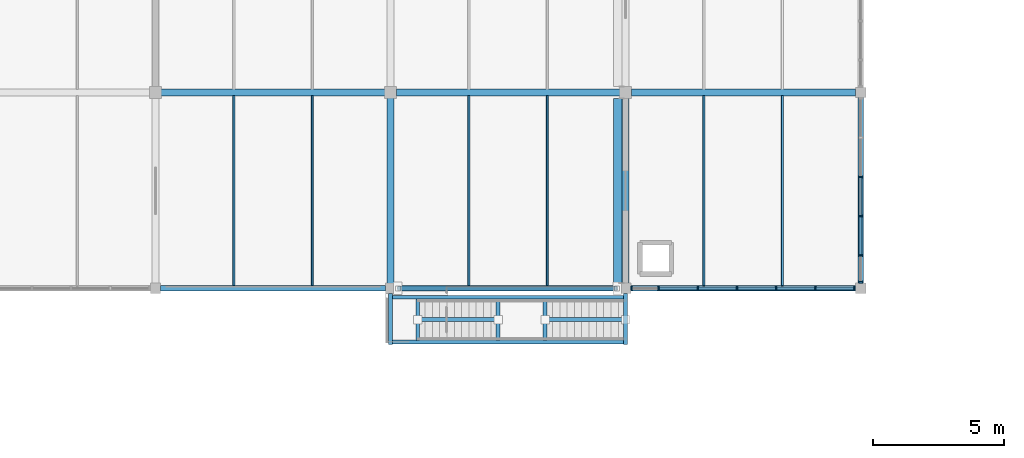
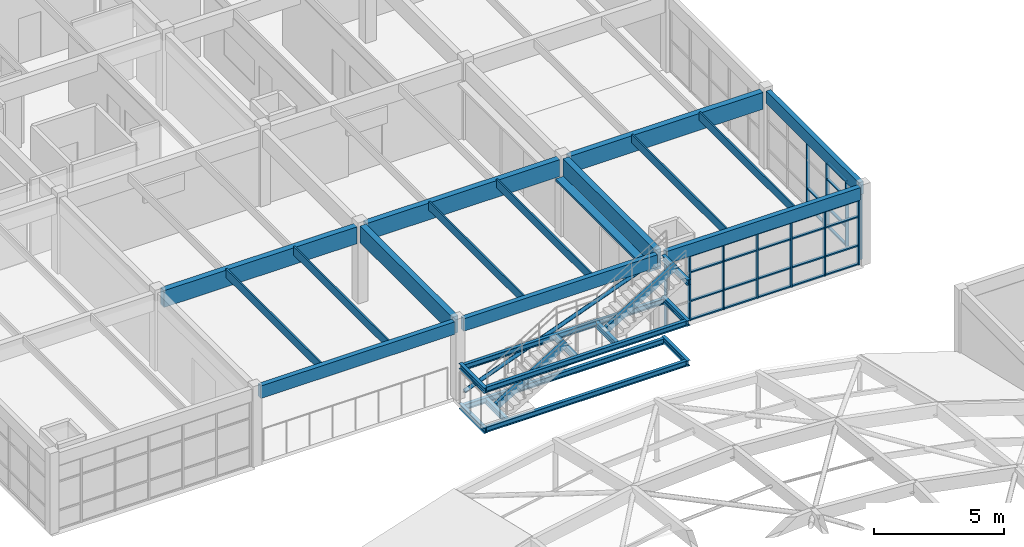
# One storey, part 21 of 81: 41 members, 27 beams, 2 elements without a shape of their own.
"""IFC4 building model written with IfcOpenShell, lengths in metres."""

from ifc_helpers import new_model, si_unit, direction, frame, origin, origin_2d, place, context, subcontext, project, spatial, rectangle, hollow_rectangle, hollow_circle, i_section, extrude, material, layer, layer_set, material_profile, profile_set, type_object, element, aggregate, save


model = new_model("IFC4")

# Units and contexts
model_context = context("Model", 3, precision=1e-05, world=origin(), true_north=direction((0.0, 1.0)))
body_context = subcontext(model_context, "Body", "Model", "MODEL_VIEW")
ifc_project = project(units=[si_unit("LENGTHUNIT", "METRE"), si_unit("AREAUNIT", "SQUARE_METRE"), si_unit("VOLUMEUNIT", "CUBIC_METRE"), si_unit("PLANEANGLEUNIT", "RADIAN"), si_unit("MASSUNIT", "GRAM", prefix="KILO")], contexts=[model_context])

# Site, building, storey
site_placement = place(None, origin())
site = spatial("IfcSite", under=ifc_project, at=site_placement, CompositionType="ELEMENT")
building_placement = place(site_placement, origin())
building = spatial("IfcBuilding", under=site, at=building_placement, Name="Marnridge Secondary College", CompositionType="ELEMENT")
storey_placement = place(building_placement, frame((0.0, 0.0, 8.5)))
storey = spatial("IfcBuildingStorey", under=building, at=storey_placement, Name="L02", CompositionType="ELEMENT", Elevation=8.5)

# Beams
ifc_material_1 = material(Name="Glulam timber GL18", Category="wood")
ifc_material_profile_1 = material_profile(ifc_material_1, rectangle(XDim=0.215087890625, YDim=0.5849609375, at=origin_2d()), Name="GL18 215x585")
ifc_profile_set_1 = profile_set([ifc_material_profile_1], Name="Glulam timber GL18")
beam_type_1 = type_object("IfcBeamType", Name="BM-GL585-EXT", PredefinedType="SPANDREL", material=ifc_profile_set_1)
for number, where, z_axis, x_axis, name in (
    (1, (63.194091796875, 37.5, 3.347412109375), (1.0, 0.0, 0.0), (0.0, 1.0, 0.0), "Beam BS-L02-0799"),
    (2, (72.194091796875, 37.5, 3.347412109375), (1.0, 0.0, 0.0), (0.0, 1.0, 0.0), "Beam BS-L02-0801"),
    (3, (81.194091796875, 37.5, 3.347412109375), (1.0, 0.0, 0.0), (0.0, 1.0, 0.0), "Beam BS-L02-0803"),
):
    element("IfcBeam", number, at=place(storey_placement, frame(where, z_axis=z_axis, x_axis=x_axis)), inside=storey, type_object=beam_type_1, Name=name, PredefinedType="SPANDREL", context=body_context, shape_type="SweptSolid", body=[
        extrude(rectangle(XDim=0.215087890625, YDim=0.5849609375, at=origin_2d()), origin(), (0.0, 0.0, 1.0), 8.61181640625),
    ])
beam_1_placement = place(storey_placement, frame((90.0, 37.694091796875, 3.347412109375), z_axis=(0.0, 1.0, 0.0), x_axis=(-1.0, 0.0, 0.0)))
element("IfcBeam", 4, at=beam_1_placement, inside=storey, type_object=beam_type_1, Name="Beam BS-L02-0804", PredefinedType="SPANDREL", context=body_context, shape_type="SweptSolid", body=[
    extrude(rectangle(XDim=0.215087890625, YDim=0.5849609375, at=origin_2d()), origin(), (0.0, 0.0, 1.0), 7.11181640625),
])
ifc_material_2 = material(Name="Glulam timber GL18", Category="wood")
ifc_material_profile_2 = material_profile(ifc_material_2, rectangle(XDim=0.260009765625, YDim=0.7900390625, at=origin_2d()), Name="GL18 260x790")
ifc_profile_set_2 = profile_set([ifc_material_profile_2], Name="Glulam timber GL18")
beam_type_2 = type_object("IfcBeamType", Name="BM-GL790-INT", PredefinedType="BEAM", material=ifc_profile_set_2)
for number, where, z_axis, x_axis, name in (
    (5, (63.218994140625, 45.0, 3.175048828125), (1.0, 0.0, 0.0), (0.0, 1.0, 0.0), "Beam B-L02-0769"),
    (6, (72.218994140625, 45.0, 3.175048828125), (1.0, 0.0, 0.0), (0.0, 1.0, 0.0), "Beam B-L02-0778"),
):
    element("IfcBeam", number, at=place(storey_placement, frame(where, z_axis=z_axis, x_axis=x_axis)), inside=storey, type_object=beam_type_2, Name=name, PredefinedType="BEAM", context=body_context, shape_type="SweptSolid", body=[
        extrude(rectangle(XDim=0.260009765625, YDim=0.7900390625, at=origin_2d()), origin(), (0.0, 0.0, 1.0), 8.56201171875),
    ])
beam_2_placement = place(storey_placement, frame((81.218994140625, 45.0, 3.175048828125), z_axis=(1.0, 0.0, 0.0), x_axis=(0.0, 1.0, 0.0)))
element("IfcBeam", 7, at=beam_2_placement, inside=storey, type_object=beam_type_2, Name="Beam B-L02-0787", PredefinedType="BEAM", context=body_context, shape_type="SweptSolid", body=[
    extrude(rectangle(XDim=0.260009765625, YDim=0.7900390625, at=origin_2d()), origin(), (0.0, 0.0, 1.0), 8.5869140625),
])
for number, where, z_axis, x_axis, name in (
    (8, (72.0, 37.694091796875, 3.2451171875), (0.0, 1.0, 0.0), (-1.0, 0.0, 0.0), "Beam B-L02-0800"),
    (9, (81.0, 37.694091796875, 3.2451171875), (0.0, 1.0, 0.0), (-1.0, 0.0, 0.0), "Beam B-L02-0802"),
):
    element("IfcBeam", number, at=place(storey_placement, frame(where, z_axis=z_axis, x_axis=x_axis)), inside=storey, type_object=beam_type_2, Name=name, PredefinedType="BEAM", context=body_context, shape_type="SweptSolid", body=[
        extrude(rectangle(XDim=0.260009765625, YDim=0.7900390625, at=origin_2d()), origin(), (0.0, 0.0, 1.0), 7.0869140625),
    ])
ifc_material_3 = material(Name="Engineered timber LVL E13.2", Category="wood")
ifc_material_profile_3 = material_profile(ifc_material_3, rectangle(XDim=0.074951171875, YDim=0.39990234375, at=origin_2d()), Name="LVL 75x400")
ifc_profile_set_3 = profile_set([ifc_material_profile_3], Name="Engineered timber LVL E13.2")
beam_type_3 = type_object("IfcBeamType", Name="BM-LVL400-INT", PredefinedType="JOIST", material=ifc_profile_set_3)
for number, where, z_axis, x_axis, name in (
    (10, (66.0, 37.6015625, 3.43994140625), (0.0, 1.0, 0.0), (-1.0, 0.0, 0.0), "Beam BJ-L02-0843"),
    (11, (69.0, 37.6015625, 3.43994140625), (0.0, 1.0, 0.0), (-1.0, 0.0, 0.0), "Beam BJ-L02-0844"),
    (12, (75.0, 37.6015625, 3.43994140625), (0.0, 1.0, 0.0), (-1.0, 0.0, 0.0), "Beam BJ-L02-0845"),
    (13, (78.0, 37.6015625, 3.43994140625), (0.0, 1.0, 0.0), (-1.0, 0.0, 0.0), "Beam BJ-L02-0846"),
    (14, (84.0, 37.6015625, 3.43994140625), (0.0, 1.0, 0.0), (-1.0, 0.0, 0.0), "Beam BJ-L02-0847"),
    (15, (87.0, 37.6015625, 3.43994140625), (0.0, 1.0, 0.0), (-1.0, 0.0, 0.0), "Beam BJ-L02-0848"),
):
    element("IfcBeam", number, at=place(storey_placement, frame(where, z_axis=z_axis, x_axis=x_axis)), inside=storey, type_object=beam_type_3, Name=name, PredefinedType="JOIST", context=body_context, shape_type="SweptSolid", body=[
        extrude(rectangle(XDim=0.074951171875, YDim=0.39990234375, at=origin_2d()), origin(), (0.0, 0.0, 1.0), 7.2744140625),
    ])
ifc_material_4 = material(Name="Structural steel Grade 350 (AS/NZS 3679.1/.2, fy = 340-360 MPa)", Category="steel")
ifc_material_profile_4 = material_profile(ifc_material_4, i_section(OverallWidth=0.146240234375, OverallDepth=0.256103515625, WebThickness=0.00634765625, FlangeThickness=0.010986328125, FilletRadius=0.0087890625, at=origin_2d()), Name="250UB37.3")
ifc_profile_set_4 = profile_set([ifc_material_profile_4], Name="Structural steel Grade 350 (AS/NZS 3679.1/.2, fy = 340-360 MPa)")
beam_type_4 = type_object("IfcBeamType", Name="BM-UB250-EXT", PredefinedType="LINTEL", material=ifc_profile_set_4)
for number, where, z_axis, x_axis, name in (
    (16, (72.0, 37.300537109375, 1.592041015625), (0.0, -1.0, 0.0), (1.0, 0.0, 0.0), "Exterior stair outrigger bracket BZ-L02-061"),
    (17, (81.0, 37.300537109375, 1.592041015625), (0.0, -1.0, 0.0), (1.0, 0.0, 0.0), "Exterior stair outrigger bracket BZ-L02-062"),
):
    element("IfcBeam", number, at=place(storey_placement, frame(where, z_axis=z_axis, x_axis=x_axis)), inside=storey, type_object=beam_type_4, Name=name, PredefinedType="LINTEL", context=body_context, shape_type="SweptSolid", body=[
        extrude(i_section(OverallWidth=0.146240234375, OverallDepth=0.256103515625, WebThickness=0.00634765625, FlangeThickness=0.010986328125, FilletRadius=0.0087890625, at=origin_2d()), origin(), (0.0, 0.0, 1.0), 1.950439453125),
    ])
for number, where, z_axis, x_axis, name in (
    (18, (72.072509765625, 35.43994140625, 1.592041015625), (1.0, 0.0, 0.0), (0.0, 1.0, 0.0), "Exterior stair landing beam BZ-L02-063"),
    (19, (72.072509765625, 37.159912109375, 1.592041015625), (1.0, 0.0, 0.0), (0.0, 1.0, 0.0), "Exterior stair landing beam BZ-L02-064"),
):
    element("IfcBeam", number, at=place(storey_placement, frame(where, z_axis=z_axis, x_axis=x_axis)), inside=storey, type_object=beam_type_4, Name=name, PredefinedType="LINTEL", context=body_context, shape_type="SweptSolid", body=[
        extrude(i_section(OverallWidth=0.146240234375, OverallDepth=0.256103515625, WebThickness=0.00634765625, FlangeThickness=0.010986328125, FilletRadius=0.0087890625, at=origin_2d()), origin(), (0.0, 0.0, 1.0), 8.85498046875),
    ])
for number, where, z_axis, x_axis, name in (
    (20, (76.1201171875, 35.512451171875, 1.592041015625), (0.0, 1.0, 0.0), (-1.0, 0.0, 0.0), "Exterior stair flight end trimmer BZ-L02-065"),
    (21, (77.919921875, 35.512451171875, 1.592041015625), (0.0, 1.0, 0.0), (-1.0, 0.0, 0.0), "Exterior stair flight end trimmer BZ-L02-066"),
):
    element("IfcBeam", number, at=place(storey_placement, frame(where, z_axis=z_axis, x_axis=x_axis)), inside=storey, type_object=beam_type_4, Name=name, PredefinedType="LINTEL", context=body_context, shape_type="SweptSolid", body=[
        extrude(i_section(OverallWidth=0.146240234375, OverallDepth=0.256103515625, WebThickness=0.00634765625, FlangeThickness=0.010986328125, FilletRadius=0.0087890625, at=origin_2d()), origin(), (0.0, 0.0, 1.0), 1.574951171875),
    ])
for number, where, z_axis, x_axis, name in (
    (22, (72.0, 37.300537109375, -0.2880859375), (0.0, -1.0, 0.0), (1.0, 0.0, 0.0), "Exterior stair outrigger bracket BZ-L02-067"),
    (23, (81.0, 37.300537109375, -0.2880859375), (0.0, -1.0, 0.0), (1.0, 0.0, 0.0), "Exterior stair outrigger bracket BZ-L02-068"),
):
    element("IfcBeam", number, at=place(storey_placement, frame(where, z_axis=z_axis, x_axis=x_axis)), inside=storey, type_object=beam_type_4, Name=name, PredefinedType="LINTEL", context=body_context, shape_type="SweptSolid", body=[
        extrude(i_section(OverallWidth=0.146240234375, OverallDepth=0.256103515625, WebThickness=0.00634765625, FlangeThickness=0.010986328125, FilletRadius=0.0087890625, at=origin_2d()), origin(), (0.0, 0.0, 1.0), 1.950439453125),
    ])
for number, where, z_axis, x_axis, name in (
    (24, (72.072509765625, 35.43994140625, -0.2880859375), (1.0, 0.0, 0.0), (0.0, 1.0, 0.0), "Exterior stair landing beam BZ-L02-069"),
    (25, (72.072509765625, 37.159912109375, -0.2880859375), (1.0, 0.0, 0.0), (0.0, 1.0, 0.0), "Exterior stair landing beam BZ-L02-070"),
):
    element("IfcBeam", number, at=place(storey_placement, frame(where, z_axis=z_axis, x_axis=x_axis)), inside=storey, type_object=beam_type_4, Name=name, PredefinedType="LINTEL", context=body_context, shape_type="SweptSolid", body=[
        extrude(i_section(OverallWidth=0.146240234375, OverallDepth=0.256103515625, WebThickness=0.00634765625, FlangeThickness=0.010986328125, FilletRadius=0.0087890625, at=origin_2d()), origin(), (0.0, 0.0, 1.0), 8.85498046875),
    ])
beam_3_placement = place(storey_placement, frame((73.0400390625, 35.512451171875, -0.2880859375), z_axis=(0.0, 1.0, 0.0), x_axis=(-1.0, 0.0, 0.0)))
element("IfcBeam", 26, at=beam_3_placement, inside=storey, type_object=beam_type_4, Name="Exterior stair flight end trimmer BZ-L02-071", PredefinedType="LINTEL", context=body_context, shape_type="SweptSolid", body=[
    extrude(i_section(OverallWidth=0.146240234375, OverallDepth=0.256103515625, WebThickness=0.00634765625, FlangeThickness=0.010986328125, FilletRadius=0.0087890625, at=origin_2d()), origin(), (0.0, 0.0, 1.0), 1.574951171875),
])
beam_4_placement = place(storey_placement, frame((81.0, 37.300537109375, 3.511962890625), z_axis=(0.0, -1.0, 0.0), x_axis=(1.0, 0.0, 0.0)))
element("IfcBeam", 27, at=beam_4_placement, inside=storey, type_object=beam_type_4, Name="Exterior stair arrival outrigger BZ-L02-072", PredefinedType="LINTEL", context=body_context, shape_type="SweptSolid", body=[
    extrude(i_section(OverallWidth=0.146240234375, OverallDepth=0.256103515625, WebThickness=0.00634765625, FlangeThickness=0.010986328125, FilletRadius=0.0087890625, at=origin_2d()), origin(), (0.0, 0.0, 1.0), 1.950439453125),
])

# Curtain wall, members
ifc_material_5 = material(Name="Thermally broken aluminium and low-E glazing", Category="aluminium")
ifc_layer = layer(ifc_material_5, 0.159912109375)
ifc_layer_set = layer_set([ifc_layer], Name="CW-MOD-1500")
curtain_wall_type = type_object("IfcCurtainWallType", Name="CW-MOD-1500", PredefinedType="NOTDEFINED", material=ifc_layer_set)
curtain_wall_1_placement = place(storey_placement, origin())
curtain_wall_1 = element("IfcCurtainWall", 28, at=curtain_wall_1_placement, inside=storey, type_object=curtain_wall_type, Name="Unitised curtain wall CW-L02-079", PredefinedType="NOTDEFINED")
ifc_material_6 = material(Name="Anodised aluminium 6063-T6", Category="aluminium")
ifc_material_profile_5 = material_profile(ifc_material_6, rectangle(XDim=0.06005859375, YDim=0.159912109375, at=origin_2d()), Name="ALU 60x160")
ifc_profile_set_5 = profile_set([ifc_material_profile_5], Name="Anodised aluminium 6063-T6")
member_type_1 = type_object("IfcMemberType", Name="CWM-ALU160", PredefinedType="MULLION", material=ifc_profile_set_5)
member_1_placement = place(storey_placement, frame((90.0, 41.76611328125, 0.0), z_axis=(0.0, 0.0, 1.0), x_axis=(0.0, -1.0, 0.0)))
member_1 = element("IfcMember", 29, at=member_1_placement, type_object=member_type_1, Name="CW-L02-079 mullion 3", PredefinedType="MULLION", context=body_context, shape_type="SweptSolid", body=[
    extrude(rectangle(XDim=0.06005859375, YDim=0.159912109375, at=origin_2d()), origin(), (0.0, 0.0, 1.0), 3.047119140625),
])
member_2_placement = place(storey_placement, frame((90.0, 40.26611328125, 0.0), z_axis=(0.0, 0.0, 1.0), x_axis=(0.0, -1.0, 0.0)))
member_2 = element("IfcMember", 30, at=member_2_placement, type_object=member_type_1, Name="CW-L02-079 mullion 4", PredefinedType="MULLION", context=body_context, shape_type="SweptSolid", body=[
    extrude(rectangle(XDim=0.06005859375, YDim=0.159912109375, at=origin_2d()), origin(), (0.0, 0.0, 1.0), 3.047119140625),
])
member_3_placement = place(storey_placement, frame((90.0, 38.76611328125, 0.0), z_axis=(0.0, 0.0, 1.0), x_axis=(0.0, -1.0, 0.0)))
member_3 = element("IfcMember", 31, at=member_3_placement, type_object=member_type_1, Name="CW-L02-079 mullion 5", PredefinedType="MULLION", context=body_context, shape_type="SweptSolid", body=[
    extrude(rectangle(XDim=0.06005859375, YDim=0.159912109375, at=origin_2d()), origin(), (0.0, 0.0, 1.0), 3.047119140625),
])
member_4_placement = place(storey_placement, frame((90.0, 37.73388671875, 0.0), z_axis=(0.0, 0.0, 1.0), x_axis=(0.0, -1.0, 0.0)))
member_4 = element("IfcMember", 32, at=member_4_placement, type_object=member_type_1, Name="CW-L02-079 mullion 6", PredefinedType="MULLION", context=body_context, shape_type="SweptSolid", body=[
    extrude(rectangle(XDim=0.06005859375, YDim=0.159912109375, at=origin_2d()), origin(), (0.0, 0.0, 1.0), 3.047119140625),
])

curtain_wall_2_placement = place(storey_placement, origin())
curtain_wall_2 = element("IfcCurtainWall", 33, at=curtain_wall_2_placement, inside=storey, type_object=curtain_wall_type, Name="Unitised curtain wall CW-L02-080", PredefinedType="NOTDEFINED")
member_5_placement = place(storey_placement, frame((89.76611328125, 37.5, 0.0), z_axis=(0.0, 0.0, 1.0), x_axis=(-1.0, 0.0, 0.0)))
member_5 = element("IfcMember", 34, at=member_5_placement, type_object=member_type_1, Name="CW-L02-080 mullion 1", PredefinedType="MULLION", context=body_context, shape_type="SweptSolid", body=[
    extrude(rectangle(XDim=0.06005859375, YDim=0.159912109375, at=origin_2d()), origin(), (0.0, 0.0, 1.0), 3.047119140625),
])
member_6_placement = place(storey_placement, frame((88.26611328125, 37.5, 0.0), z_axis=(0.0, 0.0, 1.0), x_axis=(-1.0, 0.0, 0.0)))
member_6 = element("IfcMember", 35, at=member_6_placement, type_object=member_type_1, Name="CW-L02-080 mullion 2", PredefinedType="MULLION", context=body_context, shape_type="SweptSolid", body=[
    extrude(rectangle(XDim=0.06005859375, YDim=0.159912109375, at=origin_2d()), origin(), (0.0, 0.0, 1.0), 3.047119140625),
])
member_7_placement = place(storey_placement, frame((86.76611328125, 37.5, 0.0), z_axis=(0.0, 0.0, 1.0), x_axis=(-1.0, 0.0, 0.0)))
member_7 = element("IfcMember", 36, at=member_7_placement, type_object=member_type_1, Name="CW-L02-080 mullion 3", PredefinedType="MULLION", context=body_context, shape_type="SweptSolid", body=[
    extrude(rectangle(XDim=0.06005859375, YDim=0.159912109375, at=origin_2d()), origin(), (0.0, 0.0, 1.0), 3.047119140625),
])
member_8_placement = place(storey_placement, frame((85.26611328125, 37.5, 0.0), z_axis=(0.0, 0.0, 1.0), x_axis=(-1.0, 0.0, 0.0)))
member_8 = element("IfcMember", 37, at=member_8_placement, type_object=member_type_1, Name="CW-L02-080 mullion 4", PredefinedType="MULLION", context=body_context, shape_type="SweptSolid", body=[
    extrude(rectangle(XDim=0.06005859375, YDim=0.159912109375, at=origin_2d()), origin(), (0.0, 0.0, 1.0), 3.047119140625),
])
member_9_placement = place(storey_placement, frame((83.76611328125, 37.5, 0.0), z_axis=(0.0, 0.0, 1.0), x_axis=(-1.0, 0.0, 0.0)))
member_9 = element("IfcMember", 38, at=member_9_placement, type_object=member_type_1, Name="CW-L02-080 mullion 5", PredefinedType="MULLION", context=body_context, shape_type="SweptSolid", body=[
    extrude(rectangle(XDim=0.06005859375, YDim=0.159912109375, at=origin_2d()), origin(), (0.0, 0.0, 1.0), 3.047119140625),
])
member_10_placement = place(storey_placement, frame((82.26611328125, 37.5, 0.0), z_axis=(0.0, 0.0, 1.0), x_axis=(-1.0, 0.0, 0.0)))
member_10 = element("IfcMember", 39, at=member_10_placement, type_object=member_type_1, Name="CW-L02-080 mullion 6", PredefinedType="MULLION", context=body_context, shape_type="SweptSolid", body=[
    extrude(rectangle(XDim=0.06005859375, YDim=0.159912109375, at=origin_2d()), origin(), (0.0, 0.0, 1.0), 3.047119140625),
])
member_11_placement = place(storey_placement, frame((81.23388671875, 37.5, 0.0), z_axis=(0.0, 0.0, 1.0), x_axis=(-1.0, 0.0, 0.0)))
member_11 = element("IfcMember", 40, at=member_11_placement, type_object=member_type_1, Name="CW-L02-080 mullion 7", PredefinedType="MULLION", context=body_context, shape_type="SweptSolid", body=[
    extrude(rectangle(XDim=0.06005859375, YDim=0.159912109375, at=origin_2d()), origin(), (0.0, 0.0, 1.0), 3.047119140625),
])

# Member
ifc_material_7 = material(Name="Anodised aluminium 6063-T6", Category="aluminium")
ifc_material_profile_6 = material_profile(ifc_material_7, rectangle(XDim=0.06005859375, YDim=0.1201171875, at=origin_2d()), Name="ALU 60x120")
ifc_profile_set_6 = profile_set([ifc_material_profile_6], Name="Anodised aluminium 6063-T6")
member_type_2 = type_object("IfcMemberType", Name="CWT-ALU120", PredefinedType="USERDEFINED", material=ifc_profile_set_6)
member_12_placement = place(storey_placement, frame((90.0, 41.736083984375, 0.030029296875), z_axis=(0.0, -1.0, 0.0), x_axis=(0.0, 0.0, 1.0)))
member_12 = element("IfcMember", 41, at=member_12_placement, type_object=member_type_2, Name="CW-L02-079 transom 3.1", ObjectType="TRANSOM", PredefinedType="USERDEFINED", context=body_context, shape_type="SweptSolid", body=[
    extrude(rectangle(XDim=0.06005859375, YDim=0.1201171875, at=origin_2d()), origin(), (0.0, 0.0, 1.0), 1.440185546875),
])

member_13_placement = place(storey_placement, frame((90.0, 41.736083984375, 0.89990234375), z_axis=(0.0, -1.0, 0.0), x_axis=(0.0, 0.0, 1.0)))
member_13 = element("IfcMember", 42, at=member_13_placement, type_object=member_type_2, Name="CW-L02-079 transom 3.2", ObjectType="TRANSOM", PredefinedType="USERDEFINED", context=body_context, shape_type="SweptSolid", body=[
    extrude(rectangle(XDim=0.06005859375, YDim=0.1201171875, at=origin_2d()), origin(), (0.0, 0.0, 1.0), 1.440185546875),
])

member_14_placement = place(storey_placement, frame((90.0, 40.236083984375, 0.030029296875), z_axis=(0.0, -1.0, 0.0), x_axis=(0.0, 0.0, 1.0)))
member_14 = element("IfcMember", 43, at=member_14_placement, type_object=member_type_2, Name="CW-L02-079 transom 4.1", ObjectType="TRANSOM", PredefinedType="USERDEFINED", context=body_context, shape_type="SweptSolid", body=[
    extrude(rectangle(XDim=0.06005859375, YDim=0.1201171875, at=origin_2d()), origin(), (0.0, 0.0, 1.0), 1.440185546875),
])

member_15_placement = place(storey_placement, frame((90.0, 40.236083984375, 0.89990234375), z_axis=(0.0, -1.0, 0.0), x_axis=(0.0, 0.0, 1.0)))
member_15 = element("IfcMember", 44, at=member_15_placement, type_object=member_type_2, Name="CW-L02-079 transom 4.2", ObjectType="TRANSOM", PredefinedType="USERDEFINED", context=body_context, shape_type="SweptSolid", body=[
    extrude(rectangle(XDim=0.06005859375, YDim=0.1201171875, at=origin_2d()), origin(), (0.0, 0.0, 1.0), 1.440185546875),
])

member_16_placement = place(storey_placement, frame((90.0, 40.236083984375, 2.25), z_axis=(0.0, -1.0, 0.0), x_axis=(0.0, 0.0, 1.0)))
member_16 = element("IfcMember", 45, at=member_16_placement, type_object=member_type_2, Name="CW-L02-079 transom 4.3", ObjectType="TRANSOM", PredefinedType="USERDEFINED", context=body_context, shape_type="SweptSolid", body=[
    extrude(rectangle(XDim=0.06005859375, YDim=0.1201171875, at=origin_2d()), origin(), (0.0, 0.0, 1.0), 1.440185546875),
])

member_17_placement = place(storey_placement, frame((90.0, 40.236083984375, 3.01708984375), z_axis=(0.0, -1.0, 0.0), x_axis=(0.0, 0.0, 1.0)))
member_17 = element("IfcMember", 46, at=member_17_placement, type_object=member_type_2, Name="CW-L02-079 transom 4.4", ObjectType="TRANSOM", PredefinedType="USERDEFINED", context=body_context, shape_type="SweptSolid", body=[
    extrude(rectangle(XDim=0.06005859375, YDim=0.1201171875, at=origin_2d()), origin(), (0.0, 0.0, 1.0), 1.440185546875),
])

aggregate(curtain_wall_1, [member_1, member_2, member_3, member_4, member_12, member_13, member_14, member_15, member_16, member_17])

member_18_placement = place(storey_placement, frame((89.736083984375, 37.5, 0.030029296875), z_axis=(-1.0, 0.0, 0.0), x_axis=(0.0, 0.0, 1.0)))
member_18 = element("IfcMember", 47, at=member_18_placement, type_object=member_type_2, Name="CW-L02-080 transom 1.1", ObjectType="TRANSOM", PredefinedType="USERDEFINED", context=body_context, shape_type="SweptSolid", body=[
    extrude(rectangle(XDim=0.06005859375, YDim=0.1201171875, at=origin_2d()), origin(), (0.0, 0.0, 1.0), 1.440185546875),
])

member_19_placement = place(storey_placement, frame((89.736083984375, 37.5, 0.89990234375), z_axis=(-1.0, 0.0, 0.0), x_axis=(0.0, 0.0, 1.0)))
member_19 = element("IfcMember", 48, at=member_19_placement, type_object=member_type_2, Name="CW-L02-080 transom 1.2", ObjectType="TRANSOM", PredefinedType="USERDEFINED", context=body_context, shape_type="SweptSolid", body=[
    extrude(rectangle(XDim=0.06005859375, YDim=0.1201171875, at=origin_2d()), origin(), (0.0, 0.0, 1.0), 1.440185546875),
])

member_20_placement = place(storey_placement, frame((89.736083984375, 37.5, 2.25), z_axis=(-1.0, 0.0, 0.0), x_axis=(0.0, 0.0, 1.0)))
member_20 = element("IfcMember", 49, at=member_20_placement, type_object=member_type_2, Name="CW-L02-080 transom 1.3", ObjectType="TRANSOM", PredefinedType="USERDEFINED", context=body_context, shape_type="SweptSolid", body=[
    extrude(rectangle(XDim=0.06005859375, YDim=0.1201171875, at=origin_2d()), origin(), (0.0, 0.0, 1.0), 1.440185546875),
])

member_21_placement = place(storey_placement, frame((89.736083984375, 37.5, 3.01708984375), z_axis=(-1.0, 0.0, 0.0), x_axis=(0.0, 0.0, 1.0)))
member_21 = element("IfcMember", 50, at=member_21_placement, type_object=member_type_2, Name="CW-L02-080 transom 1.4", ObjectType="TRANSOM", PredefinedType="USERDEFINED", context=body_context, shape_type="SweptSolid", body=[
    extrude(rectangle(XDim=0.06005859375, YDim=0.1201171875, at=origin_2d()), origin(), (0.0, 0.0, 1.0), 1.440185546875),
])

member_22_placement = place(storey_placement, frame((88.236083984375, 37.5, 0.030029296875), z_axis=(-1.0, 0.0, 0.0), x_axis=(0.0, 0.0, 1.0)))
member_22 = element("IfcMember", 51, at=member_22_placement, type_object=member_type_2, Name="CW-L02-080 transom 2.1", ObjectType="TRANSOM", PredefinedType="USERDEFINED", context=body_context, shape_type="SweptSolid", body=[
    extrude(rectangle(XDim=0.06005859375, YDim=0.1201171875, at=origin_2d()), origin(), (0.0, 0.0, 1.0), 1.440185546875),
])

member_23_placement = place(storey_placement, frame((88.236083984375, 37.5, 0.89990234375), z_axis=(-1.0, 0.0, 0.0), x_axis=(0.0, 0.0, 1.0)))
member_23 = element("IfcMember", 52, at=member_23_placement, type_object=member_type_2, Name="CW-L02-080 transom 2.2", ObjectType="TRANSOM", PredefinedType="USERDEFINED", context=body_context, shape_type="SweptSolid", body=[
    extrude(rectangle(XDim=0.06005859375, YDim=0.1201171875, at=origin_2d()), origin(), (0.0, 0.0, 1.0), 1.440185546875),
])

member_24_placement = place(storey_placement, frame((88.236083984375, 37.5, 2.25), z_axis=(-1.0, 0.0, 0.0), x_axis=(0.0, 0.0, 1.0)))
member_24 = element("IfcMember", 53, at=member_24_placement, type_object=member_type_2, Name="CW-L02-080 transom 2.3", ObjectType="TRANSOM", PredefinedType="USERDEFINED", context=body_context, shape_type="SweptSolid", body=[
    extrude(rectangle(XDim=0.06005859375, YDim=0.1201171875, at=origin_2d()), origin(), (0.0, 0.0, 1.0), 1.440185546875),
])

member_25_placement = place(storey_placement, frame((88.236083984375, 37.5, 3.01708984375), z_axis=(-1.0, 0.0, 0.0), x_axis=(0.0, 0.0, 1.0)))
member_25 = element("IfcMember", 54, at=member_25_placement, type_object=member_type_2, Name="CW-L02-080 transom 2.4", ObjectType="TRANSOM", PredefinedType="USERDEFINED", context=body_context, shape_type="SweptSolid", body=[
    extrude(rectangle(XDim=0.06005859375, YDim=0.1201171875, at=origin_2d()), origin(), (0.0, 0.0, 1.0), 1.440185546875),
])

member_26_placement = place(storey_placement, frame((86.736083984375, 37.5, 0.030029296875), z_axis=(-1.0, 0.0, 0.0), x_axis=(0.0, 0.0, 1.0)))
member_26 = element("IfcMember", 55, at=member_26_placement, type_object=member_type_2, Name="CW-L02-080 transom 3.1", ObjectType="TRANSOM", PredefinedType="USERDEFINED", context=body_context, shape_type="SweptSolid", body=[
    extrude(rectangle(XDim=0.06005859375, YDim=0.1201171875, at=origin_2d()), origin(), (0.0, 0.0, 1.0), 1.440185546875),
])

member_27_placement = place(storey_placement, frame((86.736083984375, 37.5, 0.89990234375), z_axis=(-1.0, 0.0, 0.0), x_axis=(0.0, 0.0, 1.0)))
member_27 = element("IfcMember", 56, at=member_27_placement, type_object=member_type_2, Name="CW-L02-080 transom 3.2", ObjectType="TRANSOM", PredefinedType="USERDEFINED", context=body_context, shape_type="SweptSolid", body=[
    extrude(rectangle(XDim=0.06005859375, YDim=0.1201171875, at=origin_2d()), origin(), (0.0, 0.0, 1.0), 1.440185546875),
])

member_28_placement = place(storey_placement, frame((86.736083984375, 37.5, 2.25), z_axis=(-1.0, 0.0, 0.0), x_axis=(0.0, 0.0, 1.0)))
member_28 = element("IfcMember", 57, at=member_28_placement, type_object=member_type_2, Name="CW-L02-080 transom 3.3", ObjectType="TRANSOM", PredefinedType="USERDEFINED", context=body_context, shape_type="SweptSolid", body=[
    extrude(rectangle(XDim=0.06005859375, YDim=0.1201171875, at=origin_2d()), origin(), (0.0, 0.0, 1.0), 1.440185546875),
])

member_29_placement = place(storey_placement, frame((86.736083984375, 37.5, 3.01708984375), z_axis=(-1.0, 0.0, 0.0), x_axis=(0.0, 0.0, 1.0)))
member_29 = element("IfcMember", 58, at=member_29_placement, type_object=member_type_2, Name="CW-L02-080 transom 3.4", ObjectType="TRANSOM", PredefinedType="USERDEFINED", context=body_context, shape_type="SweptSolid", body=[
    extrude(rectangle(XDim=0.06005859375, YDim=0.1201171875, at=origin_2d()), origin(), (0.0, 0.0, 1.0), 1.440185546875),
])

member_30_placement = place(storey_placement, frame((85.236083984375, 37.5, 0.030029296875), z_axis=(-1.0, 0.0, 0.0), x_axis=(0.0, 0.0, 1.0)))
member_30 = element("IfcMember", 59, at=member_30_placement, type_object=member_type_2, Name="CW-L02-080 transom 4.1", ObjectType="TRANSOM", PredefinedType="USERDEFINED", context=body_context, shape_type="SweptSolid", body=[
    extrude(rectangle(XDim=0.06005859375, YDim=0.1201171875, at=origin_2d()), origin(), (0.0, 0.0, 1.0), 1.440185546875),
])

member_31_placement = place(storey_placement, frame((85.236083984375, 37.5, 0.89990234375), z_axis=(-1.0, 0.0, 0.0), x_axis=(0.0, 0.0, 1.0)))
member_31 = element("IfcMember", 60, at=member_31_placement, type_object=member_type_2, Name="CW-L02-080 transom 4.2", ObjectType="TRANSOM", PredefinedType="USERDEFINED", context=body_context, shape_type="SweptSolid", body=[
    extrude(rectangle(XDim=0.06005859375, YDim=0.1201171875, at=origin_2d()), origin(), (0.0, 0.0, 1.0), 1.440185546875),
])

member_32_placement = place(storey_placement, frame((85.236083984375, 37.5, 2.25), z_axis=(-1.0, 0.0, 0.0), x_axis=(0.0, 0.0, 1.0)))
member_32 = element("IfcMember", 61, at=member_32_placement, type_object=member_type_2, Name="CW-L02-080 transom 4.3", ObjectType="TRANSOM", PredefinedType="USERDEFINED", context=body_context, shape_type="SweptSolid", body=[
    extrude(rectangle(XDim=0.06005859375, YDim=0.1201171875, at=origin_2d()), origin(), (0.0, 0.0, 1.0), 1.440185546875),
])

member_33_placement = place(storey_placement, frame((85.236083984375, 37.5, 3.01708984375), z_axis=(-1.0, 0.0, 0.0), x_axis=(0.0, 0.0, 1.0)))
member_33 = element("IfcMember", 62, at=member_33_placement, type_object=member_type_2, Name="CW-L02-080 transom 4.4", ObjectType="TRANSOM", PredefinedType="USERDEFINED", context=body_context, shape_type="SweptSolid", body=[
    extrude(rectangle(XDim=0.06005859375, YDim=0.1201171875, at=origin_2d()), origin(), (0.0, 0.0, 1.0), 1.440185546875),
])

member_34_placement = place(storey_placement, frame((83.736083984375, 37.5, 0.030029296875), z_axis=(-1.0, 0.0, 0.0), x_axis=(0.0, 0.0, 1.0)))
member_34 = element("IfcMember", 63, at=member_34_placement, type_object=member_type_2, Name="CW-L02-080 transom 5.1", ObjectType="TRANSOM", PredefinedType="USERDEFINED", context=body_context, shape_type="SweptSolid", body=[
    extrude(rectangle(XDim=0.06005859375, YDim=0.1201171875, at=origin_2d()), origin(), (0.0, 0.0, 1.0), 1.440185546875),
])

member_35_placement = place(storey_placement, frame((83.736083984375, 37.5, 0.89990234375), z_axis=(-1.0, 0.0, 0.0), x_axis=(0.0, 0.0, 1.0)))
member_35 = element("IfcMember", 64, at=member_35_placement, type_object=member_type_2, Name="CW-L02-080 transom 5.2", ObjectType="TRANSOM", PredefinedType="USERDEFINED", context=body_context, shape_type="SweptSolid", body=[
    extrude(rectangle(XDim=0.06005859375, YDim=0.1201171875, at=origin_2d()), origin(), (0.0, 0.0, 1.0), 1.440185546875),
])

member_36_placement = place(storey_placement, frame((83.736083984375, 37.5, 2.25), z_axis=(-1.0, 0.0, 0.0), x_axis=(0.0, 0.0, 1.0)))
member_36 = element("IfcMember", 65, at=member_36_placement, type_object=member_type_2, Name="CW-L02-080 transom 5.3", ObjectType="TRANSOM", PredefinedType="USERDEFINED", context=body_context, shape_type="SweptSolid", body=[
    extrude(rectangle(XDim=0.06005859375, YDim=0.1201171875, at=origin_2d()), origin(), (0.0, 0.0, 1.0), 1.440185546875),
])

member_37_placement = place(storey_placement, frame((83.736083984375, 37.5, 3.01708984375), z_axis=(-1.0, 0.0, 0.0), x_axis=(0.0, 0.0, 1.0)))
member_37 = element("IfcMember", 66, at=member_37_placement, type_object=member_type_2, Name="CW-L02-080 transom 5.4", ObjectType="TRANSOM", PredefinedType="USERDEFINED", context=body_context, shape_type="SweptSolid", body=[
    extrude(rectangle(XDim=0.06005859375, YDim=0.1201171875, at=origin_2d()), origin(), (0.0, 0.0, 1.0), 1.440185546875),
])

aggregate(curtain_wall_2, [member_5, member_6, member_7, member_8, member_9, member_10, member_11, member_18, member_19, member_20, member_21, member_22, member_23, member_24, member_25, member_26, member_27, member_28, member_29, member_30, member_31, member_32, member_33, member_34, member_35, member_36, member_37])

# Members
ifc_material_8 = material(Name="Cold-formed steel Grade C350L0 (AS/NZS 1163, fy = 350 MPa)", Category="steel")
ifc_material_profile_7 = material_profile(ifc_material_8, hollow_circle(Radius=0.084228515625, WallThickness=0.00634765625, at=origin_2d()), Name="168.3x6.4CHS")
ifc_profile_set_7 = profile_set([ifc_material_profile_7], Name="Cold-formed steel Grade C350L0 (AS/NZS 1163, fy = 350 MPa)")
member_type_3 = type_object("IfcMemberType", Name="MB-BR-CHS168", PredefinedType="BRACE", material=ifc_profile_set_7)
member_38_placement = place(storey_placement, frame((72.280029296875, 37.5, 0.159912109375), z_axis=(0.936688944252, 0.0, 0.350162564697), x_axis=(0.0, 1.0, 0.0)))
element("IfcMember", 67, at=member_38_placement, inside=storey, type_object=member_type_3, Name="Lateral brace BR-009", PredefinedType="BRACE", context=body_context, shape_type="SweptSolid", body=[
    extrude(hollow_circle(Radius=0.084228515625, WallThickness=0.00634765625, at=origin_2d()), origin(), (0.0, 0.0, 1.0), 8.9677734375),
])
ifc_material_9 = material(Name="Glulam timber GL18", Category="wood")
ifc_material_profile_8 = material_profile(ifc_material_9, rectangle(XDim=0.110107421875, YDim=0.60009765625, at=origin_2d()), Name="FIN GL18 110x600")
ifc_profile_set_8 = profile_set([ifc_material_profile_8], Name="Glulam timber GL18")
member_type_4 = type_object("IfcMemberType", Name="MB-FIN-GL600", PredefinedType="USERDEFINED", material=ifc_profile_set_8)
member_39_placement = place(storey_placement, frame((80.840087890625, 37.699951171875, 2.761962890625), z_axis=(0.0, 1.0, 0.0), x_axis=(0.0, 0.0, 1.0)))
element("IfcMember", 68, at=member_39_placement, inside=storey, type_object=member_type_4, Name="Solar shading fin SFN-0083", ObjectType="SOLAR FIN", PredefinedType="USERDEFINED", context=body_context, shape_type="SweptSolid", body=[
    extrude(rectangle(XDim=0.110107421875, YDim=0.60009765625, at=origin_2d()), origin(), (0.0, 0.0, 1.0), 7.074951171875),
])
ifc_material_10 = material(Name="Cold-formed steel Grade C350L0 (AS/NZS 1163, fy = 350 MPa)", Category="steel")
ifc_material_profile_9 = material_profile(ifc_material_10, hollow_rectangle(XDim=0.14990234375, YDim=0.300048828125, WallThickness=0.008056640625, at=origin_2d()), Name="300x150x8.0RHS")
ifc_profile_set_9 = profile_set([ifc_material_profile_9], Name="Cold-formed steel Grade C350L0 (AS/NZS 1163, fy = 350 MPa)")
member_type_5 = type_object("IfcMemberType", Name="MB-STR-RHS300", PredefinedType="STRINGER", material=ifc_profile_set_9)
member_40_placement = place(storey_placement, frame((73.0400390625, 36.300048828125, -0.0400390625), z_axis=(0.853545961927, 0.0, 0.521017553329), x_axis=(0.0, 1.0, 0.0)))
element("IfcMember", 69, at=member_40_placement, inside=storey, type_object=member_type_5, Name="Exterior stair stringer STR-061", PredefinedType="STRINGER", context=body_context, shape_type="SweptSolid", body=[
    extrude(hollow_rectangle(XDim=0.14990234375, YDim=0.300048828125, WallThickness=0.008056640625, at=origin_2d()), origin(), (0.0, 0.0, 1.0), 3.608642578125),
])
member_41_placement = place(storey_placement, frame((77.919921875, 36.300048828125, 1.840087890625), z_axis=(0.848632569243, 0.0, 0.528982761931), x_axis=(0.0, 1.0, 0.0)))
element("IfcMember", 70, at=member_41_placement, inside=storey, type_object=member_type_5, Name="Exterior stair stringer STR-062", PredefinedType="STRINGER", context=body_context, shape_type="SweptSolid", body=[
    extrude(hollow_rectangle(XDim=0.14990234375, YDim=0.300048828125, WallThickness=0.008056640625, at=origin_2d()), origin(), (0.0, 0.0, 1.0), 3.62939453125),
])

save(model, "model.ifc")
